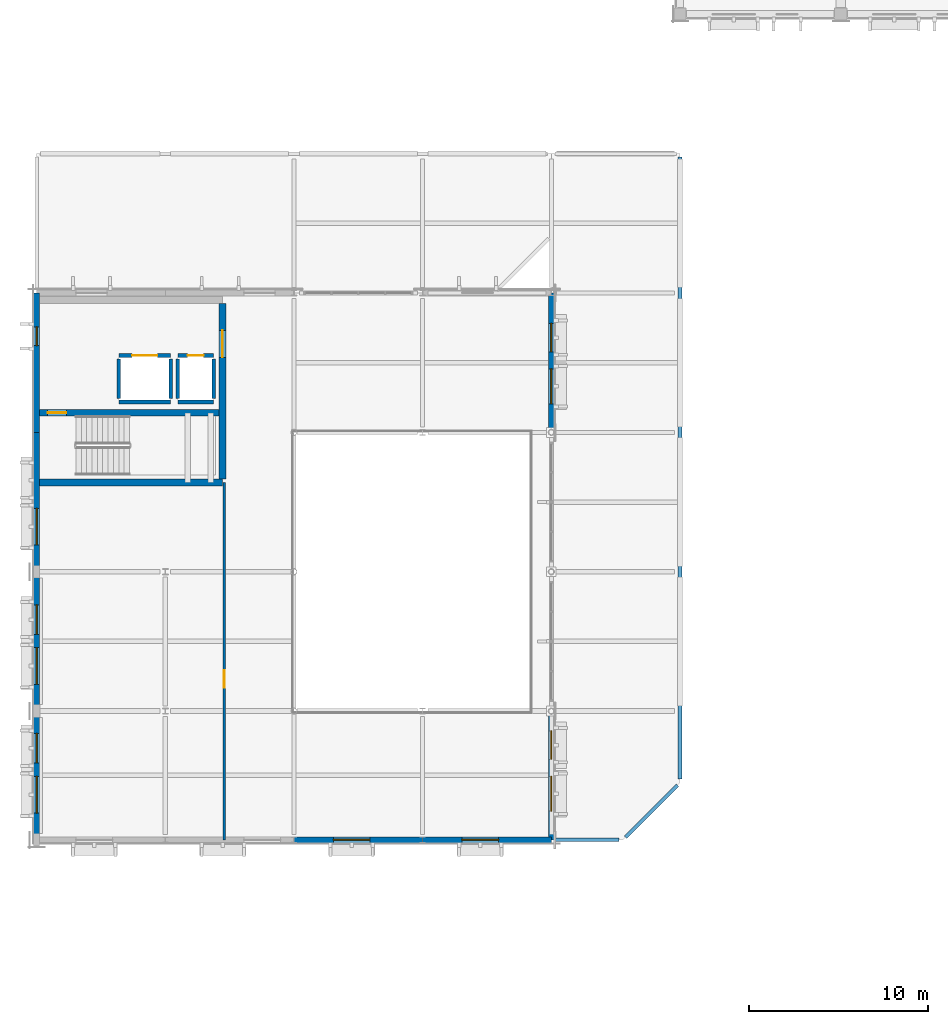
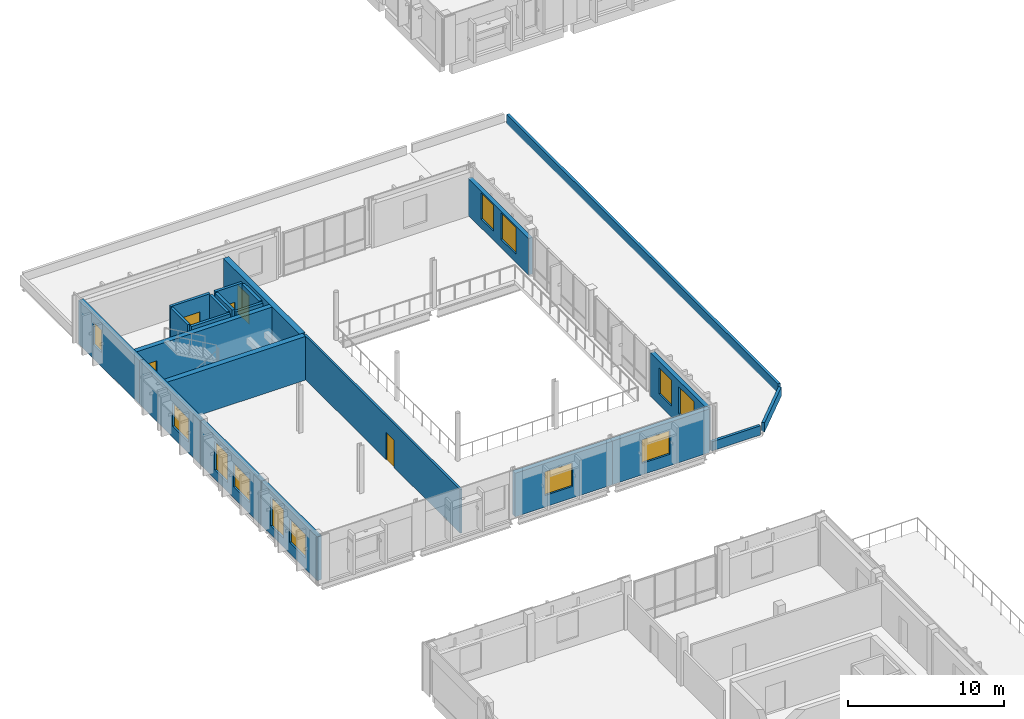
# One storey, part 50 of 73: 23 walls, 12 windows, 5 doors, 17 openings.
"""IFC4 building model written with IfcOpenShell, lengths in metres."""

from ifc_helpers import new_model, si_unit, direction, frame, frame_2d, origin, place, context, subcontext, project, spatial, rectangle, extrude, material, layer, layer_set, type_object, element, fill, save


model = new_model("IFC4")

# Units and contexts
model_context = context("Model", 3, precision=1e-05, world=origin(), true_north=direction((0.0, 1.0)))
body_context = subcontext(model_context, "Body", "Model", "MODEL_VIEW")
ifc_project = project(units=[si_unit("LENGTHUNIT", "METRE"), si_unit("AREAUNIT", "SQUARE_METRE"), si_unit("VOLUMEUNIT", "CUBIC_METRE"), si_unit("PLANEANGLEUNIT", "RADIAN"), si_unit("MASSUNIT", "GRAM", prefix="KILO")], contexts=[model_context])

# Site, building, storey
site_placement = place(None, origin())
site = spatial("IfcSite", under=ifc_project, at=site_placement, CompositionType="ELEMENT")
building_placement = place(site_placement, origin())
building = spatial("IfcBuilding", under=site, at=building_placement, Name="Vervanel Yard Central Library", CompositionType="ELEMENT")
storey_placement = place(building_placement, frame((0.0, 0.0, 12.780029296875)))
storey = spatial("IfcBuildingStorey", under=building, at=storey_placement, Name="L03", CompositionType="ELEMENT", Elevation=12.780029296875)

# Wall, openings, windows
ifc_material_1 = material(Name="Precast concrete C45/55", Category="concrete")
ifc_layer_1 = layer(ifc_material_1, 0.300048828125, Category="concrete")
ifc_layer_set_1 = layer_set([ifc_layer_1], Name="Precast concrete C45/55")
wall_type_1 = type_object("IfcWallType", Name="Bush-Hammered Precast Cladding Wall 300", PredefinedType="SOLIDWALL", material=ifc_layer_set_1)
wall_1_placement = place(storey_placement, frame((28.800048828125, 36.0, 0.0), z_axis=(0.0, 0.0, 1.0), x_axis=(0.0, 1.0, 0.0)))
wall_1 = element("IfcWall", 1, at=wall_1_placement, inside=storey, type_object=wall_type_1, Name="L03 Bush-Hammered Precast Cladding Wall 300 EWALL-L03-0133", PredefinedType="SOLIDWALL", context=body_context, shape_type="SweptSolid", body=[
    extrude(rectangle(XDim=7.199951171875, YDim=0.300048828125, at=frame_2d((3.60009765625, 0.0))), origin(), (0.0, 0.0, 1.0), 3.419921875),
])
opening_1_placement = place(wall_1_placement, frame((1.60009765625, 0.0, 0.85009765625)))
opening_1 = element("IfcOpeningElement", 2, at=opening_1_placement, cuts=wall_1, Name="Opening WN-24", PredefinedType="OPENING", context=body_context, shape_type="SweptSolid", body=[
    extrude(rectangle(XDim=1.949951171875, YDim=2.10009765625, at=frame_2d((0.97509765625, 1.050048828125))), frame((0.0, 0.159912109375, 0.0), z_axis=(0.0, -1.0, 0.0), x_axis=(1.0, 0.0, 0.0)), (0.0, 0.0, 1.0), 0.320068359375),
])
opening_2_placement = place(wall_1_placement, frame((4.5, 0.0, 0.85009765625)))
opening_2 = element("IfcOpeningElement", 3, at=opening_2_placement, cuts=wall_1, Name="Opening WN-20", PredefinedType="OPENING", context=body_context, shape_type="SweptSolid", body=[
    extrude(rectangle(XDim=1.60009765625, YDim=2.050048828125, at=frame_2d((0.800048828125, 1.02490234375))), frame((0.0, 0.159912109375, 0.0), z_axis=(0.0, -1.0, 0.0), x_axis=(1.0, 0.0, 0.0)), (0.0, 0.0, 1.0), 0.320068359375),
])
ifc_material_2 = material(Name="Double low-E laminated solar-control glass", Category="glass")
window_type_1 = type_object("IfcWindowType", Name="Atrium Study Window 1950x2100", PartitioningType="SINGLE_PANEL", PredefinedType="WINDOW", material=ifc_material_2)
window_1_placement = place(opening_1_placement, origin())
window_1 = element("IfcWindow", 4, at=window_1_placement, inside=storey, type_object=window_type_1, Name="L03 Atrium Study Window 1950x2100 178", OverallHeight=2.10009765625, OverallWidth=1.949951171875, PartitioningType="SINGLE_PANEL", PredefinedType="WINDOW", context=body_context, shape_type="SweptSolid", body=[
    extrude(rectangle(XDim=1.949951171875, YDim=2.10009765625, at=frame_2d((0.97509765625, 1.050048828125))), frame((0.0, 0.030029296875, 0.0), z_axis=(0.0, -1.0, 0.0), x_axis=(1.0, 0.0, 0.0)), (0.0, 0.0, 1.0), 0.06005859375),
])
fill(opening_1, window_1)
window_type_2 = type_object("IfcWindowType", Name="Reading Courtyard Window 1600x2050", PartitioningType="SINGLE_PANEL", PredefinedType="WINDOW", material=ifc_material_2)
window_2_placement = place(opening_2_placement, origin())
window_2 = element("IfcWindow", 5, at=window_2_placement, inside=storey, type_object=window_type_2, Name="L03 Reading Courtyard Window 1600x2050 179", OverallHeight=2.050048828125, OverallWidth=1.60009765625, PartitioningType="SINGLE_PANEL", PredefinedType="WINDOW", context=body_context, shape_type="SweptSolid", body=[
    extrude(rectangle(XDim=1.60009765625, YDim=2.050048828125, at=frame_2d((0.800048828125, 1.02490234375))), frame((0.0, 0.030029296875, 0.0), z_axis=(0.0, -1.0, 0.0), x_axis=(1.0, 0.0, 0.0)), (0.0, 0.0, 1.0), 0.06005859375),
])
fill(opening_2, window_2)

wall_2_placement = place(storey_placement, frame((28.800048828125, 58.800048828125, 0.0), z_axis=(0.0, 0.0, 1.0), x_axis=(0.0, 1.0, 0.0)))
wall_2 = element("IfcWall", 6, at=wall_2_placement, inside=storey, type_object=wall_type_1, Name="L03 Bush-Hammered Precast Cladding Wall 300 EWALL-L03-0134", PredefinedType="SOLIDWALL", context=body_context, shape_type="SweptSolid", body=[
    extrude(rectangle(XDim=7.800048828125, YDim=0.300048828125, at=frame_2d((3.89990234375, 0.0))), origin(), (0.0, 0.0, 1.0), 2.872802734375),
])
opening_3_placement = place(wall_2_placement, frame((1.60009765625, 0.0, 0.653076171875)))
opening_3 = element("IfcOpeningElement", 7, at=opening_3_placement, cuts=wall_2, Name="Opening WN-24", PredefinedType="OPENING", context=body_context, shape_type="SweptSolid", body=[
    extrude(rectangle(XDim=1.949951171875, YDim=2.10009765625, at=frame_2d((0.97509765625, 1.050048828125))), frame((0.0, 0.159912109375, 0.0), z_axis=(0.0, -1.0, 0.0), x_axis=(1.0, 0.0, 0.0)), (0.0, 0.0, 1.0), 0.320068359375),
])
opening_4_placement = place(wall_2_placement, frame((4.5, 0.0, 0.702880859375)))
opening_4 = element("IfcOpeningElement", 8, at=opening_4_placement, cuts=wall_2, Name="Opening WN-20", PredefinedType="OPENING", context=body_context, shape_type="SweptSolid", body=[
    extrude(rectangle(XDim=1.60009765625, YDim=2.050048828125, at=frame_2d((0.800048828125, 1.02490234375))), frame((0.0, 0.159912109375, 0.0), z_axis=(0.0, -1.0, 0.0), x_axis=(1.0, 0.0, 0.0)), (0.0, 0.0, 1.0), 0.320068359375),
])
window_3_placement = place(opening_3_placement, origin())
window_3 = element("IfcWindow", 9, at=window_3_placement, inside=storey, type_object=window_type_1, Name="L03 Atrium Study Window 1950x2100 180", OverallHeight=2.10009765625, OverallWidth=1.949951171875, PartitioningType="SINGLE_PANEL", PredefinedType="WINDOW", context=body_context, shape_type="SweptSolid", body=[
    extrude(rectangle(XDim=1.949951171875, YDim=2.10009765625, at=frame_2d((0.97509765625, 1.050048828125))), frame((0.0, 0.030029296875, 0.0), z_axis=(0.0, -1.0, 0.0), x_axis=(1.0, 0.0, 0.0)), (0.0, 0.0, 1.0), 0.06005859375),
])
fill(opening_3, window_3)
window_4_placement = place(opening_4_placement, origin())
window_4 = element("IfcWindow", 10, at=window_4_placement, inside=storey, type_object=window_type_2, Name="L03 Reading Courtyard Window 1600x2050 181", OverallHeight=2.050048828125, OverallWidth=1.60009765625, PartitioningType="SINGLE_PANEL", PredefinedType="WINDOW", context=body_context, shape_type="SweptSolid", body=[
    extrude(rectangle(XDim=1.60009765625, YDim=2.050048828125, at=frame_2d((0.800048828125, 1.02490234375))), frame((0.0, 0.030029296875, 0.0), z_axis=(0.0, -1.0, 0.0), x_axis=(1.0, 0.0, 0.0)), (0.0, 0.0, 1.0), 0.06005859375),
])
fill(opening_4, window_4)

# Wall
ifc_material_3 = material(Name="Concrete C45/55", Category="concrete")
ifc_layer_2 = layer(ifc_material_3, 0.39990234375, Category="concrete")
ifc_layer_set_2 = layer_set([ifc_layer_2], Name="Concrete C45/55")
wall_type_2 = type_object("IfcWallType", Name="Core Primary Shear Wall 400", PredefinedType="SHEAR", material=ifc_layer_set_2)
wall_3_placement = place(storey_placement, frame((0.169921875, 56.0, 0.0), z_axis=(0.0, 0.0, 1.0), x_axis=(1.0, 0.0, 0.0)))
element("IfcWall", 11, at=wall_3_placement, inside=storey, type_object=wall_type_2, Name="L03 CORE-C Shear Wall S", PredefinedType="SHEAR", context=body_context, shape_type="SweptSolid", body=[
    extrude(rectangle(XDim=10.22998046875, YDim=0.39990234375, at=frame_2d((5.114990234375, 0.0))), origin(), (0.0, 0.0, 1.0), 3.419921875),
])

# Wall, opening, door
wall_4_placement = place(storey_placement, frame((10.39990234375, 56.199951171875, 0.0), z_axis=(0.0, 0.0, 1.0), x_axis=(0.0, 1.0, 0.0)))
wall_4 = element("IfcWall", 12, at=wall_4_placement, inside=storey, type_object=wall_type_2, Name="L03 CORE-C Shear Wall E", PredefinedType="SHEAR", context=body_context, shape_type="SweptSolid", body=[
    extrude(rectangle(XDim=9.800048828125, YDim=0.39990234375, at=frame_2d((4.89990234375, 0.0))), origin(), (0.0, 0.0, 1.0), 3.419921875),
])
opening_5_placement = place(wall_4_placement, frame((6.800048828125, 0.0, 0.0)))
opening_5 = element("IfcOpeningElement", 13, at=opening_5_placement, cuts=wall_4, Name="Opening DR-F02", PredefinedType="OPENING", context=body_context, shape_type="SweptSolid", body=[
    extrude(rectangle(XDim=1.5, YDim=2.199951171875, at=frame_2d((0.75, 1.10009765625))), frame((0.0, 0.2099609375, 0.0), z_axis=(0.0, -1.0, 0.0), x_axis=(1.0, 0.0, 0.0)), (0.0, 0.0, 1.0), 0.419921875),
])
ifc_material_4 = material(Name="Galvanized painted steelwork ASTM A500 Grade C", Category="steel")
door_type_1 = type_object("IfcDoorType", Name="Fire-Rated Lobby Door 1500x2200", OperationType="NOTDEFINED", PredefinedType="DOOR", material=ifc_material_4)
door_1_placement = place(opening_5_placement, origin())
door_1 = element("IfcDoor", 14, at=door_1_placement, inside=storey, type_object=door_type_1, Name="L03 CORE-C Lobby Fire Door", OperationType="DOUBLE_DOOR_SINGLE_SWING", OverallHeight=2.199951171875, OverallWidth=1.5, PredefinedType="DOOR", context=body_context, shape_type="SweptSolid", body=[
    extrude(rectangle(XDim=1.5, YDim=2.199951171875, at=frame_2d((0.75, 1.10009765625))), frame((0.0, 0.02490234375, 0.0), z_axis=(0.0, -1.0, 0.0), x_axis=(1.0, 0.0, 0.0)), (0.0, 0.0, 1.0), 0.050048828125),
])
fill(opening_5, door_1)

ifc_layer_3 = layer(ifc_material_3, 0.35009765625, Category="concrete")
ifc_layer_set_3 = layer_set([ifc_layer_3], Name="Concrete C45/55")
wall_type_3 = type_object("IfcWallType", Name="Core Secondary Shear Wall 350", PredefinedType="SHEAR", material=ifc_layer_set_3)
wall_5_placement = place(storey_placement, frame((0.169921875, 59.89501953125, 0.0), z_axis=(0.0, 0.0, 1.0), x_axis=(1.0, 0.0, 0.0)))
wall_5 = element("IfcWall", 15, at=wall_5_placement, inside=storey, type_object=wall_type_3, Name="L03 CORE-C Stair Shaft Wall", PredefinedType="SHEAR", context=body_context, shape_type="SweptSolid", body=[
    extrude(rectangle(XDim=10.030029296875, YDim=0.35009765625, at=frame_2d((5.01513671875, 0.0))), origin(), (0.0, 0.0, 1.0), 3.419921875),
])
opening_6_placement = place(wall_5_placement, frame((0.449951171875, 0.0, 0.0)))
opening_6 = element("IfcOpeningElement", 16, at=opening_6_placement, cuts=wall_5, Name="Opening DR-F01", PredefinedType="OPENING", context=body_context, shape_type="SweptSolid", body=[
    extrude(rectangle(XDim=1.050048828125, YDim=2.199951171875, at=frame_2d((0.52490234375, 1.10009765625))), frame((0.0, 0.18505859375, 0.0), z_axis=(0.0, -1.0, 0.0), x_axis=(1.0, 0.0, 0.0)), (0.0, 0.0, 1.0), 0.3701171875),
])
door_type_2 = type_object("IfcDoorType", Name="Fire-Rated Stair Exit Door 1050x2200", OperationType="NOTDEFINED", PredefinedType="DOOR", material=ifc_material_4)
door_2_placement = place(opening_6_placement, origin())
door_2 = element("IfcDoor", 17, at=door_2_placement, inside=storey, type_object=door_type_2, Name="L03 CORE-C Stair Door", OperationType="SINGLE_SWING_RIGHT", OverallHeight=2.199951171875, OverallWidth=1.050048828125, PredefinedType="DOOR", context=body_context, shape_type="SweptSolid", body=[
    extrude(rectangle(XDim=1.050048828125, YDim=2.199951171875, at=frame_2d((0.52490234375, 1.10009765625))), frame((0.0, 0.02490234375, 0.0), z_axis=(0.0, -1.0, 0.0), x_axis=(1.0, 0.0, 0.0)), (0.0, 0.0, 1.0), 0.050048828125),
])
fill(opening_6, door_2)

# Wall, openings, windows
ifc_layer_4 = layer(ifc_material_3, 0.340087890625, Category="concrete")
ifc_layer_set_4 = layer_set([ifc_layer_4], Name="Concrete C45/55")
wall_type_4 = type_object("IfcWallType", Name="Exterior Bearing Concrete Frame Wall 340", PredefinedType="SOLIDWALL", material=ifc_layer_set_4)
wall_6_placement = place(storey_placement, frame((0.0, 36.0, 0.0), z_axis=(0.0, 0.0, 1.0), x_axis=(0.0, 1.0, 0.0)))
wall_6 = element("IfcWall", 18, at=wall_6_placement, inside=storey, type_object=wall_type_4, Name="L03 Exterior Bearing Concrete Frame Wall 340 EWALL-L03-0129", PredefinedType="SOLIDWALL", context=body_context, shape_type="SweptSolid", body=[
    extrude(rectangle(XDim=7.199951171875, YDim=0.340087890625, at=frame_2d((3.60009765625, 0.0))), origin(), (0.0, 0.0, 1.0), 3.419921875),
])
opening_7_placement = place(wall_6_placement, frame((1.5, 0.0, 0.85009765625)))
opening_7 = element("IfcOpeningElement", 19, at=opening_7_placement, cuts=wall_6, Name="Opening WN-26", PredefinedType="OPENING", context=body_context, shape_type="SweptSolid", body=[
    extrude(rectangle(XDim=2.050048828125, YDim=1.85009765625, at=frame_2d((1.02490234375, 0.925048828125))), frame((0.0, 0.179931640625, 0.0), z_axis=(0.0, -1.0, 0.0), x_axis=(1.0, 0.0, 0.0)), (0.0, 0.0, 1.0), 0.360107421875),
])
opening_8_placement = place(wall_6_placement, frame((4.300048828125, 0.0, 0.697998046875)))
opening_8 = element("IfcOpeningElement", 20, at=opening_8_placement, cuts=wall_6, Name="Opening WN-07", PredefinedType="OPENING", context=body_context, shape_type="SweptSolid", body=[
    extrude(rectangle(XDim=1.64990234375, YDim=2.25, at=frame_2d((0.824951171875, 1.125))), frame((0.0, 0.179931640625, 0.0), z_axis=(0.0, -1.0, 0.0), x_axis=(1.0, 0.0, 0.0)), (0.0, 0.0, 1.0), 0.360107421875),
])
window_type_3 = type_object("IfcWindowType", Name="Atrium Wing Window 1650x2250", PartitioningType="SINGLE_PANEL", PredefinedType="WINDOW", material=ifc_material_2)
window_5_placement = place(opening_8_placement, origin())
window_5 = element("IfcWindow", 21, at=window_5_placement, inside=storey, type_object=window_type_3, Name="L03 Atrium Wing Window 1650x2250 172", OverallHeight=2.25, OverallWidth=1.64990234375, PartitioningType="SINGLE_PANEL", PredefinedType="WINDOW", context=body_context, shape_type="SweptSolid", body=[
    extrude(rectangle(XDim=1.64990234375, YDim=2.25, at=frame_2d((0.824951171875, 1.125))), frame((0.0, 0.030029296875, 0.0), z_axis=(0.0, -1.0, 0.0), x_axis=(1.0, 0.0, 0.0)), (0.0, 0.0, 1.0), 0.06005859375),
])
fill(opening_8, window_5)
window_type_4 = type_object("IfcWindowType", Name="Seminar Acoustic Window 2050x1850", PartitioningType="SINGLE_PANEL", PredefinedType="WINDOW", material=ifc_material_2)
window_6_placement = place(opening_7_placement, origin())
window_6 = element("IfcWindow", 22, at=window_6_placement, inside=storey, type_object=window_type_4, Name="L03 Seminar Acoustic Window 2050x1850 171", OverallHeight=1.85009765625, OverallWidth=2.050048828125, PartitioningType="SINGLE_PANEL", PredefinedType="WINDOW", context=body_context, shape_type="SweptSolid", body=[
    extrude(rectangle(XDim=2.050048828125, YDim=1.85009765625, at=frame_2d((1.02490234375, 0.925048828125))), frame((0.0, 0.030029296875, 0.0), z_axis=(0.0, -1.0, 0.0), x_axis=(1.0, 0.0, 0.0)), (0.0, 0.0, 1.0), 0.06005859375),
])
fill(opening_7, window_6)

wall_7_placement = place(storey_placement, frame((0.0, 43.199951171875, 0.0), z_axis=(0.0, 0.0, 1.0), x_axis=(0.0, 1.0, 0.0)))
wall_7 = element("IfcWall", 23, at=wall_7_placement, inside=storey, type_object=wall_type_4, Name="L03 Exterior Bearing Concrete Frame Wall 340 EWALL-L03-0130", PredefinedType="SOLIDWALL", context=body_context, shape_type="SweptSolid", body=[
    extrude(rectangle(XDim=7.800048828125, YDim=0.340087890625, at=frame_2d((3.89990234375, 0.0))), origin(), (0.0, 0.0, 1.0), 3.419921875),
])
opening_9_placement = place(wall_7_placement, frame((1.5, 0.0, 0.85009765625)))
opening_9 = element("IfcOpeningElement", 24, at=opening_9_placement, cuts=wall_7, Name="Opening WN-26", PredefinedType="OPENING", context=body_context, shape_type="SweptSolid", body=[
    extrude(rectangle(XDim=2.050048828125, YDim=1.85009765625, at=frame_2d((1.02490234375, 0.925048828125))), frame((0.0, 0.179931640625, 0.0), z_axis=(0.0, -1.0, 0.0), x_axis=(1.0, 0.0, 0.0)), (0.0, 0.0, 1.0), 0.360107421875),
])
opening_10_placement = place(wall_7_placement, frame((4.300048828125, 0.0, 0.697998046875)))
opening_10 = element("IfcOpeningElement", 25, at=opening_10_placement, cuts=wall_7, Name="Opening WN-07", PredefinedType="OPENING", context=body_context, shape_type="SweptSolid", body=[
    extrude(rectangle(XDim=1.64990234375, YDim=2.25, at=frame_2d((0.824951171875, 1.125))), frame((0.0, 0.179931640625, 0.0), z_axis=(0.0, -1.0, 0.0), x_axis=(1.0, 0.0, 0.0)), (0.0, 0.0, 1.0), 0.360107421875),
])
window_7_placement = place(opening_10_placement, origin())
window_7 = element("IfcWindow", 26, at=window_7_placement, inside=storey, type_object=window_type_3, Name="L03 Atrium Wing Window 1650x2250 174", OverallHeight=2.25, OverallWidth=1.64990234375, PartitioningType="SINGLE_PANEL", PredefinedType="WINDOW", context=body_context, shape_type="SweptSolid", body=[
    extrude(rectangle(XDim=1.64990234375, YDim=2.25, at=frame_2d((0.824951171875, 1.125))), frame((0.0, 0.030029296875, 0.0), z_axis=(0.0, -1.0, 0.0), x_axis=(1.0, 0.0, 0.0)), (0.0, 0.0, 1.0), 0.06005859375),
])
fill(opening_10, window_7)
window_8_placement = place(opening_9_placement, origin())
window_8 = element("IfcWindow", 27, at=window_8_placement, inside=storey, type_object=window_type_4, Name="L03 Seminar Acoustic Window 2050x1850 173", OverallHeight=1.85009765625, OverallWidth=2.050048828125, PartitioningType="SINGLE_PANEL", PredefinedType="WINDOW", context=body_context, shape_type="SweptSolid", body=[
    extrude(rectangle(XDim=2.050048828125, YDim=1.85009765625, at=frame_2d((1.02490234375, 0.925048828125))), frame((0.0, 0.030029296875, 0.0), z_axis=(0.0, -1.0, 0.0), x_axis=(1.0, 0.0, 0.0)), (0.0, 0.0, 1.0), 0.06005859375),
])
fill(opening_9, window_8)

# Wall, opening, window
wall_8_placement = place(storey_placement, frame((0.0, 51.0, 0.0), z_axis=(0.0, 0.0, 1.0), x_axis=(0.0, 1.0, 0.0)))
wall_8 = element("IfcWall", 28, at=wall_8_placement, inside=storey, type_object=wall_type_4, Name="L03 Exterior Bearing Concrete Frame Wall 340 EWALL-L03-0131", PredefinedType="SOLIDWALL", context=body_context, shape_type="SweptSolid", body=[
    extrude(rectangle(XDim=7.800048828125, YDim=0.340087890625, at=frame_2d((3.89990234375, 0.0))), origin(), (0.0, 0.0, 1.0), 3.419921875),
])
opening_11_placement = place(wall_8_placement, frame((1.5, 0.0, 0.85009765625)))
opening_11 = element("IfcOpeningElement", 29, at=opening_11_placement, cuts=wall_8, Name="Opening WN-26", PredefinedType="OPENING", context=body_context, shape_type="SweptSolid", body=[
    extrude(rectangle(XDim=2.050048828125, YDim=1.85009765625, at=frame_2d((1.02490234375, 0.925048828125))), frame((0.0, 0.179931640625, 0.0), z_axis=(0.0, -1.0, 0.0), x_axis=(1.0, 0.0, 0.0)), (0.0, 0.0, 1.0), 0.360107421875),
])
window_9_placement = place(opening_11_placement, origin())
window_9 = element("IfcWindow", 30, at=window_9_placement, inside=storey, type_object=window_type_4, Name="L03 Seminar Acoustic Window 2050x1850 175", OverallHeight=1.85009765625, OverallWidth=2.050048828125, PartitioningType="SINGLE_PANEL", PredefinedType="WINDOW", context=body_context, shape_type="SweptSolid", body=[
    extrude(rectangle(XDim=2.050048828125, YDim=1.85009765625, at=frame_2d((1.02490234375, 0.925048828125))), frame((0.0, 0.030029296875, 0.0), z_axis=(0.0, -1.0, 0.0), x_axis=(1.0, 0.0, 0.0)), (0.0, 0.0, 1.0), 0.06005859375),
])
fill(opening_11, window_9)

wall_9_placement = place(storey_placement, frame((0.0, 58.800048828125, 0.0), z_axis=(0.0, 0.0, 1.0), x_axis=(0.0, 1.0, 0.0)))
wall_9 = element("IfcWall", 31, at=wall_9_placement, inside=storey, type_object=wall_type_4, Name="L03 Exterior Bearing Concrete Frame Wall 340 EWALL-L03-0132", PredefinedType="SOLIDWALL", context=body_context, shape_type="SweptSolid", body=[
    extrude(rectangle(XDim=7.800048828125, YDim=0.340087890625, at=frame_2d((3.89990234375, 0.0))), origin(), (0.0, 0.0, 1.0), 3.419921875),
])
opening_12_placement = place(wall_9_placement, frame((4.85009765625, 0.0, 1.10009765625)))
opening_12 = element("IfcOpeningElement", 32, at=opening_12_placement, cuts=wall_9, Name="Opening WN-16", PredefinedType="OPENING", context=body_context, shape_type="SweptSolid", body=[
    extrude(rectangle(XDim=1.050048828125, YDim=1.75, at=frame_2d((0.52490234375, 0.875))), frame((0.0, 0.179931640625, 0.0), z_axis=(0.0, -1.0, 0.0), x_axis=(1.0, 0.0, 0.0)), (0.0, 0.0, 1.0), 0.360107421875),
])
window_type_5 = type_object("IfcWindowType", Name="Study Carrel Punch Window 1050x1750", PartitioningType="SINGLE_PANEL", PredefinedType="WINDOW", material=ifc_material_2)
window_10_placement = place(opening_12_placement, origin())
window_10 = element("IfcWindow", 33, at=window_10_placement, inside=storey, type_object=window_type_5, Name="L03 Study Carrel Punch Window 1050x1750 177", OverallHeight=1.75, OverallWidth=1.050048828125, PartitioningType="SINGLE_PANEL", PredefinedType="WINDOW", context=body_context, shape_type="SweptSolid", body=[
    extrude(rectangle(XDim=1.050048828125, YDim=1.75, at=frame_2d((0.52490234375, 0.875))), frame((0.0, 0.030029296875, 0.0), z_axis=(0.0, -1.0, 0.0), x_axis=(1.0, 0.0, 0.0)), (0.0, 0.0, 1.0), 0.06005859375),
])
fill(opening_12, window_10)

wall_10_placement = place(storey_placement, frame((14.39990234375, 36.0, 0.0), z_axis=(0.0, 0.0, 1.0), x_axis=(1.0, 0.0, 0.0)))
wall_10 = element("IfcWall", 34, at=wall_10_placement, inside=storey, type_object=wall_type_4, Name="L03 Exterior Bearing Concrete Frame Wall 340 EWALL-L03-0139", PredefinedType="SOLIDWALL", context=body_context, shape_type="SweptSolid", body=[
    extrude(rectangle(XDim=7.2001953125, YDim=0.340087890625, at=frame_2d((3.60009765625, 0.0))), origin(), (0.0, 0.0, 1.0), 3.419921875),
])
opening_13_placement = place(wall_10_placement, frame((2.199951171875, 0.0, 0.89990234375)))
opening_13 = element("IfcOpeningElement", 35, at=opening_13_placement, cuts=wall_10, Name="Opening WN-26", PredefinedType="OPENING", context=body_context, shape_type="SweptSolid", body=[
    extrude(rectangle(XDim=2.050048828125, YDim=1.85009765625, at=frame_2d((1.02490234375, 0.925048828125))), frame((0.0, 0.179931640625, 0.0), z_axis=(0.0, -1.0, 0.0), x_axis=(1.0, 0.0, 0.0)), (0.0, 0.0, 1.0), 0.360107421875),
])
window_11_placement = place(opening_13_placement, origin())
window_11 = element("IfcWindow", 36, at=window_11_placement, inside=storey, type_object=window_type_4, Name="L03 Seminar Acoustic Window 2050x1850 186", OverallHeight=1.85009765625, OverallWidth=2.050048828125, PartitioningType="SINGLE_PANEL", PredefinedType="WINDOW", context=body_context, shape_type="SweptSolid", body=[
    extrude(rectangle(XDim=2.050048828125, YDim=1.85009765625, at=frame_2d((1.02490234375, 0.925048828125))), frame((0.0, 0.030029296875, 0.0), z_axis=(0.0, -1.0, 0.0), x_axis=(1.0, 0.0, 0.0)), (0.0, 0.0, 1.0), 0.06005859375),
])
fill(opening_13, window_11)

wall_11_placement = place(storey_placement, frame((21.60009765625, 36.0, 0.0), z_axis=(0.0, 0.0, 1.0), x_axis=(1.0, 0.0, 0.0)))
wall_11 = element("IfcWall", 37, at=wall_11_placement, inside=storey, type_object=wall_type_4, Name="L03 Exterior Bearing Concrete Frame Wall 340 EWALL-L03-0141", PredefinedType="SOLIDWALL", context=body_context, shape_type="SweptSolid", body=[
    extrude(rectangle(XDim=7.199951171875, YDim=0.340087890625, at=frame_2d((3.60009765625, 0.0))), origin(), (0.0, 0.0, 1.0), 3.419921875),
])
opening_14_placement = place(wall_11_placement, frame((2.199951171875, 0.0, 0.89990234375)))
opening_14 = element("IfcOpeningElement", 38, at=opening_14_placement, cuts=wall_11, Name="Opening WN-26", PredefinedType="OPENING", context=body_context, shape_type="SweptSolid", body=[
    extrude(rectangle(XDim=2.050048828125, YDim=1.85009765625, at=frame_2d((1.02490234375, 0.925048828125))), frame((0.0, 0.179931640625, 0.0), z_axis=(0.0, -1.0, 0.0), x_axis=(1.0, 0.0, 0.0)), (0.0, 0.0, 1.0), 0.360107421875),
])
window_12_placement = place(opening_14_placement, origin())
window_12 = element("IfcWindow", 39, at=window_12_placement, inside=storey, type_object=window_type_4, Name="L03 Seminar Acoustic Window 2050x1850 188", OverallHeight=1.85009765625, OverallWidth=2.050048828125, PartitioningType="SINGLE_PANEL", PredefinedType="WINDOW", context=body_context, shape_type="SweptSolid", body=[
    extrude(rectangle(XDim=2.050048828125, YDim=1.85009765625, at=frame_2d((1.02490234375, 0.925048828125))), frame((0.0, 0.030029296875, 0.0), z_axis=(0.0, -1.0, 0.0), x_axis=(1.0, 0.0, 0.0)), (0.0, 0.0, 1.0), 0.06005859375),
])
fill(opening_14, window_12)

# Wall, opening, door
ifc_material_5 = material(Name="Fire-rated gypsum board on steel studs", Category="steel")
ifc_layer_5 = layer(ifc_material_5, 0.14990234375, Category="steel")
ifc_layer_set_5 = layer_set([ifc_layer_5], Name="Fire-rated gypsum board on steel studs")
wall_type_5 = type_object("IfcWallType", Name="Interior Partition 150", PredefinedType="PARTITIONING", material=ifc_layer_set_5)
wall_12_placement = place(storey_placement, frame((10.5, 36.0, 0.0), z_axis=(0.0, 0.0, 1.0), x_axis=(0.0, 1.0, 0.0)))
wall_12 = element("IfcWall", 40, at=wall_12_placement, inside=storey, type_object=wall_type_5, Name="L03 Interior Partition 150 IPART-L03-0104", PredefinedType="PARTITIONING", context=body_context, shape_type="SweptSolid", body=[
    extrude(rectangle(XDim=20.0, YDim=0.14990234375, at=frame_2d((10.0, 0.0))), origin(), (0.0, 0.0, 1.0), 3.419921875),
])
opening_15_placement = place(wall_12_placement, frame((8.5, 0.0, 0.0)))
opening_15 = element("IfcOpeningElement", 41, at=opening_15_placement, cuts=wall_12, Name="Opening DR-01", PredefinedType="OPENING", context=body_context, shape_type="SweptSolid", body=[
    extrude(rectangle(XDim=1.0, YDim=2.14990234375, at=frame_2d((0.5, 1.074951171875))), frame((0.0, 0.0849609375, 0.0), z_axis=(0.0, -1.0, 0.0), x_axis=(1.0, 0.0, 0.0)), (0.0, 0.0, 1.0), 0.169921875),
])
ifc_material_6 = material(Name="Solid white oak acoustic joinery", Category="wood")
door_type_3 = type_object("IfcDoorType", Name="Interior Single Door 1000x2150", OperationType="NOTDEFINED", PredefinedType="DOOR", material=ifc_material_6)
door_3_placement = place(opening_15_placement, origin())
door_3 = element("IfcDoor", 42, at=door_3_placement, inside=storey, type_object=door_type_3, Name="L03 Interior Single Door 1000x2150 IDOOR-L03-0081", OperationType="SINGLE_SWING_RIGHT", OverallHeight=2.14990234375, OverallWidth=1.0, PredefinedType="DOOR", context=body_context, shape_type="SweptSolid", body=[
    extrude(rectangle(XDim=1.0, YDim=2.14990234375, at=frame_2d((0.5, 1.074951171875))), frame((0.0, 0.02490234375, 0.0), z_axis=(0.0, -1.0, 0.0), x_axis=(1.0, 0.0, 0.0)), (0.0, 0.0, 1.0), 0.050048828125),
])
fill(opening_15, door_3)

# Walls
ifc_material_7 = material(Name="Concrete C40/50", Category="concrete")
ifc_layer_6 = layer(ifc_material_7, 0.199951171875, Category="concrete")
ifc_layer_set_6 = layer_set([ifc_layer_6], Name="Concrete C40/50")
wall_type_6 = type_object("IfcWallType", Name="Setback Roof Concrete Parapet 200", PredefinedType="PARAPET", material=ifc_layer_set_6)
wall_13_placement = place(storey_placement, frame((29.0, 36.0, 0.0), z_axis=(0.0, 0.0, 1.0), x_axis=(1.0, 0.0, 0.0)))
element("IfcWall", 43, at=wall_13_placement, inside=storey, type_object=wall_type_6, Name="L03 Roof Parapet 12", PredefinedType="PARAPET", context=body_context, shape_type="SweptSolid", body=[
    extrude(rectangle(XDim=3.60009765625, YDim=0.199951171875, at=frame_2d((1.800048828125, 0.0))), origin(), (0.0, 0.0, 1.0), 0.719970703125),
])
wall_14_placement = place(storey_placement, frame((32.94140625, 36.141357421875, 0.0), z_axis=(0.0, 0.0, 1.0), x_axis=(0.707106781187, 0.707106781187, 0.0)))
element("IfcWall", 44, at=wall_14_placement, inside=storey, type_object=wall_type_6, Name="L03 Roof Parapet 13", PredefinedType="PARAPET", context=body_context, shape_type="SweptSolid", body=[
    extrude(rectangle(XDim=4.12548828125, YDim=0.199951171875, at=frame_2d((2.062744140625, 0.0))), origin(), (0.0, 0.0, 1.0), 0.719970703125),
])
wall_15_placement = place(storey_placement, frame((36.0, 39.39990234375, 0.0), z_axis=(0.0, 0.0, 1.0), x_axis=(0.0, 1.0, 0.0)))
element("IfcWall", 45, at=wall_15_placement, inside=storey, type_object=wall_type_6, Name="L03 Roof Parapet 14", PredefinedType="PARAPET", context=body_context, shape_type="SweptSolid", body=[
    extrude(rectangle(XDim=34.800048828125, YDim=0.199951171875, at=frame_2d((17.39990234375, 0.0))), origin(), (0.0, 0.0, 1.0), 0.719970703125),
])
ifc_layer_7 = layer(ifc_material_7, 0.199951171875, Category="concrete")
ifc_layer_set_7 = layer_set([ifc_layer_7], Name="Concrete C40/50")
wall_type_7 = type_object("IfcWallType", Name="Shaft & Plant Rated Wall 200", PredefinedType="PARTITIONING", material=ifc_layer_set_7)
wall_16_placement = place(storey_placement, frame((4.60009765625, 60.5, 0.0), z_axis=(0.0, 0.0, 1.0), x_axis=(1.0, 0.0, 0.0)))
element("IfcWall", 46, at=wall_16_placement, inside=storey, type_object=wall_type_7, Name="L03 CORE-C-L03-EL-06 Shaft Wall S", PredefinedType="PARTITIONING", context=body_context, shape_type="SweptSolid", body=[
    extrude(rectangle(XDim=2.89990234375, YDim=0.199951171875, at=frame_2d((1.449951171875, 0.0))), origin(), (0.0, 0.0, 1.0), 3.419921875),
])

# Wall, opening, door
wall_17_placement = place(storey_placement, frame((4.60009765625, 63.10009765625, 0.0), z_axis=(0.0, 0.0, 1.0), x_axis=(1.0, 0.0, 0.0)))
wall_17 = element("IfcWall", 47, at=wall_17_placement, inside=storey, type_object=wall_type_7, Name="L03 CORE-C-L03-EL-06 Shaft Wall N", PredefinedType="PARTITIONING", context=body_context, shape_type="SweptSolid", body=[
    extrude(rectangle(XDim=2.89990234375, YDim=0.199951171875, at=frame_2d((1.449951171875, 0.0))), origin(), (0.0, 0.0, 1.0), 3.419921875),
])
opening_16_placement = place(wall_17_placement, frame((0.75, 0.0, 0.0)))
opening_16 = element("IfcOpeningElement", 48, at=opening_16_placement, cuts=wall_17, Name="Opening LD-02", PredefinedType="OPENING", context=body_context, shape_type="SweptSolid", body=[
    extrude(rectangle(XDim=1.39990234375, YDim=2.25, at=frame_2d((0.699951171875, 1.125))), frame((0.0, 0.10986328125, 0.0), z_axis=(0.0, -1.0, 0.0), x_axis=(1.0, 0.0, 0.0)), (0.0, 0.0, 1.0), 0.219970703125),
])
ifc_material_8 = material(Name="Brushed stainless steel AISI 316", Category="steel")
door_type_4 = type_object("IfcDoorType", Name="Collections Freight Lift Sliding Door 1400x2250", OperationType="NOTDEFINED", PredefinedType="DOOR", material=ifc_material_8)
door_4_placement = place(opening_16_placement, origin())
door_4 = element("IfcDoor", 49, at=door_4_placement, inside=storey, type_object=door_type_4, Name="L03 Lift EL-06 Landing Door", OperationType="SLIDING_TO_LEFT", OverallHeight=2.25, OverallWidth=1.39990234375, PredefinedType="DOOR", context=body_context, shape_type="SweptSolid", body=[
    extrude(rectangle(XDim=1.39990234375, YDim=2.25, at=frame_2d((0.699951171875, 1.125))), frame((0.0, 0.02490234375, 0.0), z_axis=(0.0, -1.0, 0.0), x_axis=(1.0, 0.0, 0.0)), (0.0, 0.0, 1.0), 0.050048828125),
])
fill(opening_16, door_4)

# Walls
for number, where, z_axis, x_axis, name in (
    (50, (4.60009765625, 60.699951171875, 0.0), (0.0, 0.0, 1.0), (0.0, 1.0, 0.0), "L03 CORE-C-L03-EL-06 Shaft Wall W"),
    (51, (7.5, 60.699951171875, 0.0), (0.0, 0.0, 1.0), (0.0, 1.0, 0.0), "L03 CORE-C-L03-EL-06 Shaft Wall E"),
):
    element("IfcWall", number, at=place(storey_placement, frame(where, z_axis=z_axis, x_axis=x_axis)), inside=storey, type_object=wall_type_7, Name=name, PredefinedType="PARTITIONING", context=body_context, shape_type="SweptSolid", body=[
        extrude(rectangle(XDim=2.199951171875, YDim=0.199951171875, at=frame_2d((1.10009765625, 0.0))), origin(), (0.0, 0.0, 1.0), 3.419921875),
    ])
wall_18_placement = place(storey_placement, frame((7.89990234375, 60.5, 0.0), z_axis=(0.0, 0.0, 1.0), x_axis=(1.0, 0.0, 0.0)))
element("IfcWall", 52, at=wall_18_placement, inside=storey, type_object=wall_type_7, Name="L03 CORE-C-L03-RIS Shaft Wall S", PredefinedType="PARTITIONING", context=body_context, shape_type="SweptSolid", body=[
    extrude(rectangle(XDim=2.0, YDim=0.199951171875, at=frame_2d((1.0, 0.0))), origin(), (0.0, 0.0, 1.0), 3.419921875),
])

# Wall, opening, door
wall_19_placement = place(storey_placement, frame((7.89990234375, 63.10009765625, 0.0), z_axis=(0.0, 0.0, 1.0), x_axis=(1.0, 0.0, 0.0)))
wall_19 = element("IfcWall", 53, at=wall_19_placement, inside=storey, type_object=wall_type_7, Name="L03 CORE-C-L03-RIS Shaft Wall N", PredefinedType="PARTITIONING", context=body_context, shape_type="SweptSolid", body=[
    extrude(rectangle(XDim=2.0, YDim=0.199951171875, at=frame_2d((1.0, 0.0))), origin(), (0.0, 0.0, 1.0), 3.419921875),
])
opening_17_placement = place(wall_19_placement, frame((0.550048828125, 0.0, 0.0)))
opening_17 = element("IfcOpeningElement", 54, at=opening_17_placement, cuts=wall_19, Name="Opening DR-03", PredefinedType="OPENING", context=body_context, shape_type="SweptSolid", body=[
    extrude(rectangle(XDim=0.89990234375, YDim=2.10009765625, at=frame_2d((0.449951171875, 1.050048828125))), frame((0.0, 0.10986328125, 0.0), z_axis=(0.0, -1.0, 0.0), x_axis=(1.0, 0.0, 0.0)), (0.0, 0.0, 1.0), 0.219970703125),
])
door_type_5 = type_object("IfcDoorType", Name="Interior Riser Access Door 900x2100", OperationType="NOTDEFINED", PredefinedType="DOOR", material=ifc_material_4)
door_5_placement = place(opening_17_placement, origin())
door_5 = element("IfcDoor", 55, at=door_5_placement, inside=storey, type_object=door_type_5, Name="L03 CORE-C Riser Access Door", OperationType="SINGLE_SWING_LEFT", OverallHeight=2.10009765625, OverallWidth=0.89990234375, PredefinedType="DOOR", context=body_context, shape_type="SweptSolid", body=[
    extrude(rectangle(XDim=0.89990234375, YDim=2.10009765625, at=frame_2d((0.449951171875, 1.050048828125))), frame((0.0, 0.02490234375, 0.0), z_axis=(0.0, -1.0, 0.0), x_axis=(1.0, 0.0, 0.0)), (0.0, 0.0, 1.0), 0.050048828125),
])
fill(opening_17, door_5)

# Walls
for number, where, z_axis, x_axis, name in (
    (56, (7.89990234375, 60.699951171875, 0.0), (0.0, 0.0, 1.0), (0.0, 1.0, 0.0), "L03 CORE-C-L03-RIS Shaft Wall W"),
    (57, (9.89990234375, 60.699951171875, 0.0), (0.0, 0.0, 1.0), (0.0, 1.0, 0.0), "L03 CORE-C-L03-RIS Shaft Wall E"),
):
    element("IfcWall", number, at=place(storey_placement, frame(where, z_axis=z_axis, x_axis=x_axis)), inside=storey, type_object=wall_type_7, Name=name, PredefinedType="PARTITIONING", context=body_context, shape_type="SweptSolid", body=[
        extrude(rectangle(XDim=2.199951171875, YDim=0.199951171875, at=frame_2d((1.10009765625, 0.0))), origin(), (0.0, 0.0, 1.0), 3.419921875),
    ])

save(model, "model.ifc")
